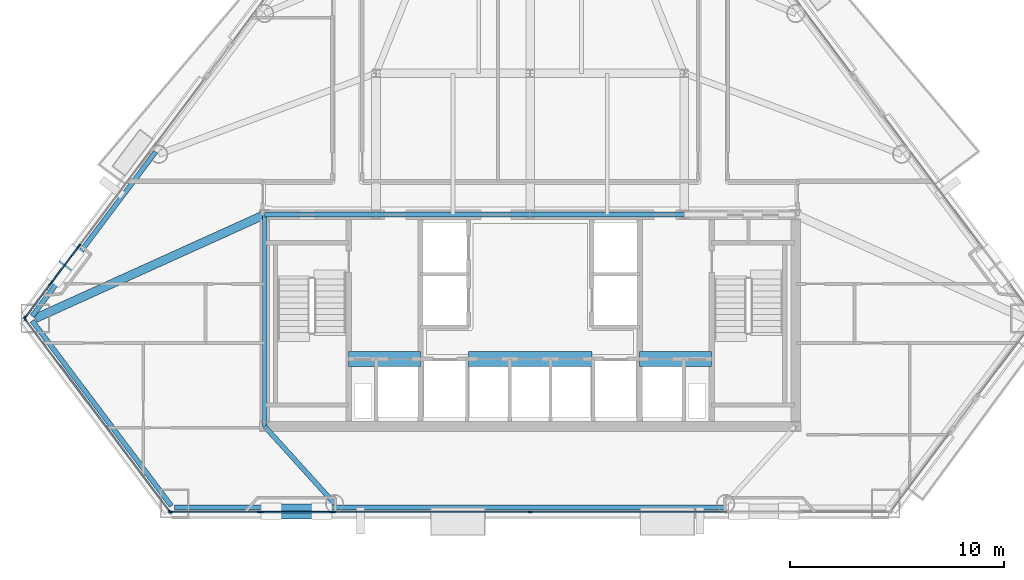
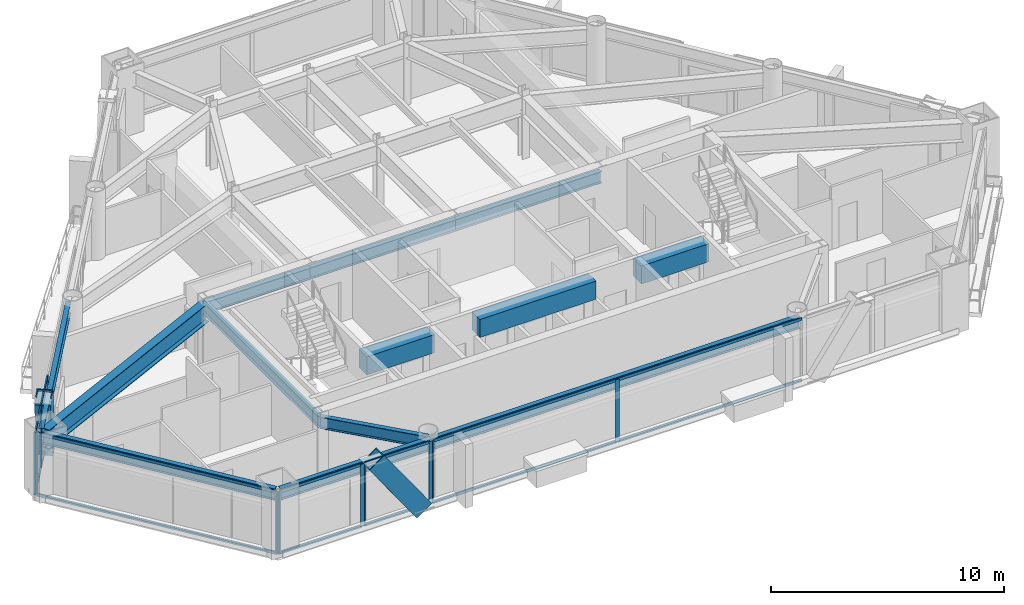
# One storey, part 2 of 10: 29 members, 13 beams, 7 elements without a shape of their own.
"""IFC4 building model written with IfcOpenShell, lengths in metres."""

from ifc_helpers import new_model, si_unit, direction, frame, origin, origin_2d, place, context, subcontext, project, spatial, rectangle, hollow_rectangle, i_section, extrude, material, layer, layer_set, material_profile, profile_set, type_object, element, aggregate, save


model = new_model("IFC4")

# Units and contexts
model_context = context("Model", 3, precision=1e-05, world=origin(), true_north=direction((0.0, 1.0)))
body_context = subcontext(model_context, "Body", "Model", "MODEL_VIEW")
ifc_project = project(units=[si_unit("LENGTHUNIT", "METRE"), si_unit("AREAUNIT", "SQUARE_METRE"), si_unit("VOLUMEUNIT", "CUBIC_METRE"), si_unit("PLANEANGLEUNIT", "RADIAN"), si_unit("MASSUNIT", "GRAM", prefix="KILO")], contexts=[model_context])

# Site, building, storey
site_placement = place(None, origin())
site = spatial("IfcSite", under=ifc_project, at=site_placement, CompositionType="ELEMENT")
building_placement = place(site_placement, origin())
building = spatial("IfcBuilding", under=site, at=building_placement, Name="Talgorran Terracotta Tower", CompositionType="ELEMENT")
storey_placement = place(building_placement, frame((0.0, 0.0, 86.39990234375)))
storey = spatial("IfcBuildingStorey", under=building, at=storey_placement, Name="L22", CompositionType="ELEMENT", Elevation=86.39990234375)

# Beams
ifc_material_1 = material(Name="Steel Grade 350 (350L0)", Category="steel")
ifc_material_profile_1 = material_profile(ifc_material_1, i_section(OverallWidth=0.39990234375, OverallDepth=1.0, WebThickness=0.01611328125, FlangeThickness=0.031005859375, at=origin_2d()), Name="1000WB296")
ifc_profile_set_1 = profile_set([ifc_material_profile_1], Name="Steel Grade 350 (350L0)")
beam_type_1 = type_object("IfcBeamType", Name="BM_1000WB296", PredefinedType="BEAM", material=ifc_profile_set_1)
beam_1_placement = place(storey_placement, frame((-12.39990234375, -4.199951171875, 2.780029296875), z_axis=(-0.911027575062, -0.412345434651, 0.0), x_axis=(0.412345434651, -0.911027575062, 0.0)))
element("IfcBeam", 1, at=beam_1_placement, inside=storey, type_object=beam_type_1, Name="L22 Floor Girder G17", PredefinedType="BEAM", context=body_context, shape_type="SweptSolid", body=[
    extrude(i_section(OverallWidth=0.39990234375, OverallDepth=1.0, WebThickness=0.01611328125, FlangeThickness=0.031005859375, at=origin_2d()), origin(), (0.0, 0.0, 1.0), 11.766357421875),
])
ifc_material_2 = material(Name="Concrete C65/80", Category="concrete")
ifc_material_profile_2 = material_profile(ifc_material_2, rectangle(XDim=0.699951171875, YDim=0.949951171875, at=origin_2d()), Name="RCCB700X950")
ifc_profile_set_2 = profile_set([ifc_material_profile_2], Name="Concrete C65/80")
beam_type_2 = type_object("IfcBeamType", Name="BM_CB_700X950", PredefinedType="LINTEL", material=ifc_profile_set_2)
beam_2_placement = place(storey_placement, frame((-8.47998046875, -10.949951171875, 2.80517578125), z_axis=(1.0, 0.0, 0.0), x_axis=(0.0, 1.0, 0.0)))
element("IfcBeam", 2, at=beam_2_placement, inside=storey, type_object=beam_type_2, Name="L22 Core Shear-Wall Coupling Beam CB1", PredefinedType="LINTEL", context=body_context, shape_type="SweptSolid", body=[
    extrude(rectangle(XDim=0.699951171875, YDim=0.949951171875, at=origin_2d()), origin(), (0.0, 0.0, 1.0), 3.35986328125),
])
beam_3_placement = place(storey_placement, frame((-2.8798828125, -10.949951171875, 2.80517578125), z_axis=(1.0, 0.0, 0.0), x_axis=(0.0, 1.0, 0.0)))
element("IfcBeam", 3, at=beam_3_placement, inside=storey, type_object=beam_type_2, Name="L22 Core Shear-Wall Coupling Beam CB2", PredefinedType="LINTEL", context=body_context, shape_type="SweptSolid", body=[
    extrude(rectangle(XDim=0.699951171875, YDim=0.949951171875, at=origin_2d()), origin(), (0.0, 0.0, 1.0), 5.759765625),
])
beam_4_placement = place(storey_placement, frame((5.1201171875, -10.949951171875, 2.80517578125), z_axis=(1.0, 0.0, 0.0), x_axis=(0.0, 1.0, 0.0)))
element("IfcBeam", 4, at=beam_4_placement, inside=storey, type_object=beam_type_2, Name="L22 Core Shear-Wall Coupling Beam CB3", PredefinedType="LINTEL", context=body_context, shape_type="SweptSolid", body=[
    extrude(rectangle(XDim=0.699951171875, YDim=0.949951171875, at=origin_2d()), origin(), (0.0, 0.0, 1.0), 3.35986328125),
])
ifc_material_3 = material(Name="Steel S355 (300PLUS)", Category="steel")
ifc_material_profile_3 = material_profile(ifc_material_3, i_section(OverallWidth=0.22900390625, OverallDepth=0.611572265625, WebThickness=0.011962890625, FlangeThickness=0.01953125, at=origin_2d()), Name="610UB125")
ifc_profile_set_3 = profile_set([ifc_material_profile_3], Name="Steel S355 (300PLUS)")
beam_type_3 = type_object("IfcBeamType", Name="BM_SP_610UB125", PredefinedType="SPANDREL", material=ifc_profile_set_3)
beam_5_placement = place(storey_placement, frame((-23.263427734375, -9.159912109375, 2.974365234375), z_axis=(0.601053302012, -0.799208938976, 0.0), x_axis=(0.799208938976, 0.601053302012, 0.0)))
element("IfcBeam", 5, at=beam_5_placement, inside=storey, type_object=beam_type_3, Name="L22 Perimeter Spandrel Beam MC1-MC2", PredefinedType="SPANDREL", context=body_context, shape_type="SweptSolid", body=[
    extrude(i_section(OverallWidth=0.22900390625, OverallDepth=0.611572265625, WebThickness=0.011962890625, FlangeThickness=0.01953125, at=origin_2d()), origin(), (0.0, 0.0, 1.0), 10.82373046875),
])
beam_6_placement = place(storey_placement, frame((-16.61376953125, -17.882080078125, 2.974365234375), z_axis=(1.0, 0.0, 0.0), x_axis=(0.0, 1.0, 0.0)))
element("IfcBeam", 6, at=beam_6_placement, inside=storey, type_object=beam_type_3, Name="L22 Perimeter Spandrel Beam MC2-FC1", PredefinedType="SPANDREL", context=body_context, shape_type="SweptSolid", body=[
    extrude(i_section(OverallWidth=0.22900390625, OverallDepth=0.611572265625, WebThickness=0.011962890625, FlangeThickness=0.01953125, at=origin_2d()), origin(), (0.0, 0.0, 1.0), 7.47607421875),
])
beam_7_placement = place(storey_placement, frame((-9.1376953125, -17.882080078125, 2.974365234375), z_axis=(1.0, 0.0, 0.0), x_axis=(0.0, 1.0, 0.0)))
element("IfcBeam", 7, at=beam_7_placement, inside=storey, type_object=beam_type_3, Name="L22 Perimeter Spandrel Beam FC1-FC2", PredefinedType="SPANDREL", context=body_context, shape_type="SweptSolid", body=[
    extrude(i_section(OverallWidth=0.22900390625, OverallDepth=0.611572265625, WebThickness=0.011962890625, FlangeThickness=0.01953125, at=origin_2d()), origin(), (0.0, 0.0, 1.0), 18.275390625),
])
beam_8_placement = place(storey_placement, frame((-17.494384765625, -1.272705078125, 2.974365234375), z_axis=(-0.601057621452, -0.799205690479, 0.0), x_axis=(0.799205690479, -0.601057621452, 0.0)))
element("IfcBeam", 8, at=beam_8_placement, inside=storey, type_object=beam_type_3, Name="L22 Perimeter Spandrel Beam FC6-MC1", PredefinedType="SPANDREL", context=body_context, shape_type="SweptSolid", body=[
    extrude(i_section(OverallWidth=0.22900390625, OverallDepth=0.611572265625, WebThickness=0.011962890625, FlangeThickness=0.01953125, at=origin_2d()), origin(), (0.0, 0.0, 1.0), 9.59814453125),
])
beam_9_placement = place(storey_placement, frame((-9.1376953125, -17.7021484375, 2.974365234375), z_axis=(-0.671276308116, 0.741207203259, 0.0), x_axis=(-0.741207203259, -0.671276308116, 0.0)))
element("IfcBeam", 9, at=beam_9_placement, inside=storey, type_object=beam_type_3, Name="L22 South-West Core Tie Beam", PredefinedType="SPANDREL", context=body_context, shape_type="SweptSolid", body=[
    extrude(i_section(OverallWidth=0.22900390625, OverallDepth=0.611572265625, WebThickness=0.011962890625, FlangeThickness=0.01953125, at=origin_2d()), origin(), (0.0, 0.0, 1.0), 4.859619140625),
])
beam_10_placement = place(storey_placement, frame((-12.39990234375, -14.10009765625, 2.974365234375), z_axis=(0.0, 1.0, 0.0), x_axis=(-1.0, 0.0, 0.0)))
element("IfcBeam", 10, at=beam_10_placement, inside=storey, type_object=beam_type_3, Name="L22 Core Frame Beam CFW", PredefinedType="SPANDREL", context=body_context, shape_type="SweptSolid", body=[
    extrude(i_section(OverallWidth=0.22900390625, OverallDepth=0.611572265625, WebThickness=0.011962890625, FlangeThickness=0.01953125, at=origin_2d()), origin(), (0.0, 0.0, 1.0), 9.900146484375),
])
beam_11_placement = place(storey_placement, frame((-12.39990234375, -4.199951171875, 2.974365234375), z_axis=(1.0, 0.0, 0.0), x_axis=(0.0, 1.0, 0.0)))
element("IfcBeam", 11, at=beam_11_placement, inside=storey, type_object=beam_type_3, Name="L22 Core Frame Beam CFN1", PredefinedType="SPANDREL", context=body_context, shape_type="SweptSolid", body=[
    extrude(i_section(OverallWidth=0.22900390625, OverallDepth=0.611572265625, WebThickness=0.011962890625, FlangeThickness=0.01953125, at=origin_2d()), origin(), (0.0, 0.0, 1.0), 5.199951171875),
])
for number, where, z_axis, x_axis, name in (
    (12, (-7.199951171875, -4.199951171875, 2.974365234375), (1.0, 0.0, 0.0), (0.0, 1.0, 0.0), "L22 Core Frame Beam CFN2"),
    (13, (0.0, -4.199951171875, 2.974365234375), (1.0, 0.0, 0.0), (0.0, 1.0, 0.0), "L22 Core Frame Beam CFN3"),
):
    element("IfcBeam", number, at=place(storey_placement, frame(where, z_axis=z_axis, x_axis=x_axis)), inside=storey, type_object=beam_type_3, Name=name, PredefinedType="SPANDREL", context=body_context, shape_type="SweptSolid", body=[
        extrude(i_section(OverallWidth=0.22900390625, OverallDepth=0.611572265625, WebThickness=0.011962890625, FlangeThickness=0.01953125, at=origin_2d()), origin(), (0.0, 0.0, 1.0), 7.199951171875),
    ])

# Members
ifc_material_profile_4 = material_profile(ifc_material_1, hollow_rectangle(XDim=0.699951171875, YDim=0.89990234375, WallThickness=0.050048828125, at=origin_2d()), Name="WBOX900X700X50")
ifc_profile_set_4 = profile_set([ifc_material_profile_4], Name="Steel Grade 350 (350L0)")
member_type_1 = type_object("IfcMemberType", Name="MB_MEGA_900", PredefinedType="BRACE", material=ifc_profile_set_4)
member_1_placement = place(storey_placement, frame((-9.740234375, -18.062255859375, -0.02490234375), z_axis=(-0.576753737228, 0.0, 0.816918066022), x_axis=(0.0, -1.0, 0.0)))
element("IfcMember", 14, at=member_1_placement, inside=storey, type_object=member_type_1, Name="L22 Exterior Face Mega-Brace MB-1 (SWF)", PredefinedType="BRACE", context=body_context, shape_type="SweptSolid", body=[
    extrude(hollow_rectangle(XDim=0.699951171875, YDim=0.89990234375, WallThickness=0.050048828125, at=origin_2d()), origin(), (0.0, 0.0, 1.0), 4.076416015625),
])
member_2_placement = place(storey_placement, frame((-21.40869140625, -6.177978515625, -0.02490234375), z_axis=(-0.177811978191, -0.236429002903, 0.955240402725), x_axis=(0.79920388083, -0.601060027674, 0.0)))
element("IfcMember", 15, at=member_2_placement, inside=storey, type_object=member_type_1, Name="L22 Exterior Face Mega-Brace MB-1 (NWL)", PredefinedType="BRACE", context=body_context, shape_type="SweptSolid", body=[
    extrude(hollow_rectangle(XDim=0.699951171875, YDim=0.89990234375, WallThickness=0.050048828125, at=origin_2d()), origin(), (0.0, 0.0, 1.0), 3.486083984375),
])

# Curtain wall, members
ifc_material_4 = material(Name="Unitised Low-E Double Glazing", Category="glass")
ifc_layer = layer(ifc_material_4, 0.199951171875, Name="CW_SYS2_RES_LOW")
ifc_layer_set = layer_set([ifc_layer], Name="Unitised Low-E Double Glazing")
curtain_wall_type = type_object("IfcCurtainWallType", Name="CW_SYS2_RES_LOW", PredefinedType="NOTDEFINED", material=ifc_layer_set)
curtain_wall_1_placement = place(storey_placement, origin())
curtain_wall_1 = element("IfcCurtainWall", 16, at=curtain_wall_1_placement, inside=storey, type_object=curtain_wall_type, Name="CW-L22-F0", PredefinedType="NOTDEFINED")
ifc_material_5 = material(Name="Architectural Aluminium 6063-T6", Category="aluminium")
ifc_material_profile_5 = material_profile(ifc_material_5, rectangle(XDim=0.06494140625, YDim=0.18505859375, at=origin_2d()), Name="CWM65X185")
ifc_profile_set_5 = profile_set([ifc_material_profile_5], Name="Architectural Aluminium 6063-T6")
member_type_2 = type_object("IfcMemberType", Name="MUL_65X185", PredefinedType="MULLION", material=ifc_profile_set_5)
member_3_placement = place(storey_placement, frame((-23.6005859375, -9.07763671875, 0.0), z_axis=(0.0, 0.0, 1.0), x_axis=(0.799209855428, 0.601052083423, 0.0)))
member_3 = element("IfcMember", 17, at=member_3_placement, type_object=member_type_2, Name="CW-L22-0 mullion 1", PredefinedType="MULLION", context=body_context, shape_type="SweptSolid", body=[
    extrude(rectangle(XDim=0.06494140625, YDim=0.18505859375, at=origin_2d()), origin(), (0.0, 0.0, 1.0), 3.280029296875),
])
member_4_placement = place(storey_placement, frame((-16.8330078125, -18.076171875, 0.0), z_axis=(0.0, 0.0, 1.0), x_axis=(0.799209855428, 0.601052083423, 0.0)))
member_4 = element("IfcMember", 18, at=member_4_placement, type_object=member_type_2, Name="CW-L22-0 mullion 2", PredefinedType="MULLION", context=body_context, shape_type="SweptSolid", body=[
    extrude(rectangle(XDim=0.06494140625, YDim=0.18505859375, at=origin_2d()), origin(), (0.0, 0.0, 1.0), 3.280029296875),
])

curtain_wall_2_placement = place(storey_placement, origin())
curtain_wall_2 = element("IfcCurtainWall", 19, at=curtain_wall_2_placement, inside=storey, type_object=curtain_wall_type, Name="CW-L22-F1", PredefinedType="NOTDEFINED")
member_5_placement = place(storey_placement, frame((-16.781005859375, -18.102294921875, 0.0), z_axis=(0.0, 0.0, 1.0), x_axis=(0.0, 1.0, 0.0)))
member_5 = element("IfcMember", 20, at=member_5_placement, type_object=member_type_2, Name="CW-L22-1 mullion 1", PredefinedType="MULLION", context=body_context, shape_type="SweptSolid", body=[
    extrude(rectangle(XDim=0.06494140625, YDim=0.18505859375, at=origin_2d()), origin(), (0.0, 0.0, 1.0), 3.280029296875),
])
member_6_placement = place(storey_placement, frame((-12.646484375, -18.102294921875, 0.0), z_axis=(0.0, 0.0, 1.0), x_axis=(0.0, 1.0, 0.0)))
member_6 = element("IfcMember", 21, at=member_6_placement, type_object=member_type_2, Name="CW-L22-1 mullion 2", PredefinedType="MULLION", context=body_context, shape_type="SweptSolid", body=[
    extrude(rectangle(XDim=0.06494140625, YDim=0.18505859375, at=origin_2d()), origin(), (0.0, 0.0, 1.0), 3.280029296875),
])

curtain_wall_3_placement = place(storey_placement, origin())
curtain_wall_3 = element("IfcCurtainWall", 22, at=curtain_wall_3_placement, inside=storey, type_object=curtain_wall_type, Name="CW-L22-F1B", PredefinedType="NOTDEFINED")
member_7_placement = place(storey_placement, frame((-12.5712890625, -18.102294921875, 0.0), z_axis=(0.0, 0.0, 1.0), x_axis=(0.0, 1.0, 0.0)))
member_7 = element("IfcMember", 23, at=member_7_placement, type_object=member_type_2, Name="CW-L22-1B mullion 1", PredefinedType="MULLION", context=body_context, shape_type="SweptSolid", body=[
    extrude(rectangle(XDim=0.06494140625, YDim=0.18505859375, at=origin_2d()), origin(), (0.0, 0.0, 1.0), 3.280029296875),
])
member_8_placement = place(storey_placement, frame((-9.260009765625, -18.102294921875, 0.0), z_axis=(0.0, 0.0, 1.0), x_axis=(0.0, 1.0, 0.0)))
member_8 = element("IfcMember", 24, at=member_8_placement, type_object=member_type_2, Name="CW-L22-1B mullion 2", PredefinedType="MULLION", context=body_context, shape_type="SweptSolid", body=[
    extrude(rectangle(XDim=0.06494140625, YDim=0.18505859375, at=origin_2d()), origin(), (0.0, 0.0, 1.0), 3.280029296875),
])

curtain_wall_4_placement = place(storey_placement, origin())
curtain_wall_4 = element("IfcCurtainWall", 25, at=curtain_wall_4_placement, inside=storey, type_object=curtain_wall_type, Name="CW-L22-F1C", PredefinedType="NOTDEFINED")
member_9_placement = place(storey_placement, frame((-9.18505859375, -18.102294921875, 0.0), z_axis=(0.0, 0.0, 1.0), x_axis=(0.0, 1.0, 0.0)))
member_9 = element("IfcMember", 26, at=member_9_placement, type_object=member_type_2, Name="CW-L22-1C mullion 1", PredefinedType="MULLION", context=body_context, shape_type="SweptSolid", body=[
    extrude(rectangle(XDim=0.06494140625, YDim=0.18505859375, at=origin_2d()), origin(), (0.0, 0.0, 1.0), 3.280029296875),
])
member_10_placement = place(storey_placement, frame((0.0, -18.102294921875, 0.0), z_axis=(0.0, 0.0, 1.0), x_axis=(0.0, 1.0, 0.0)))
member_10 = element("IfcMember", 27, at=member_10_placement, type_object=member_type_2, Name="CW-L22-1C mullion 2", PredefinedType="MULLION", context=body_context, shape_type="SweptSolid", body=[
    extrude(rectangle(XDim=0.06494140625, YDim=0.18505859375, at=origin_2d()), origin(), (0.0, 0.0, 1.0), 3.280029296875),
])

# Curtain wall, member
curtain_wall_5_placement = place(storey_placement, origin())
curtain_wall_5 = element("IfcCurtainWall", 28, at=curtain_wall_5_placement, inside=storey, type_object=curtain_wall_type, Name="CW-L22-F61", PredefinedType="NOTDEFINED")
member_11_placement = place(storey_placement, frame((-21.069580078125, -5.660400390625, 0.0), z_axis=(0.0, 0.0, 1.0), x_axis=(0.799212779935, -0.60104819473, 0.0)))
member_11 = element("IfcMember", 29, at=member_11_placement, type_object=member_type_2, Name="CW-L22-61 mullion 2", PredefinedType="MULLION", context=body_context, shape_type="SweptSolid", body=[
    extrude(rectangle(XDim=0.06494140625, YDim=0.18505859375, at=origin_2d()), origin(), (0.0, 0.0, 1.0), 3.280029296875),
])
aggregate(curtain_wall_5, [member_11])

# Curtain wall, members
curtain_wall_6_placement = place(storey_placement, origin())
curtain_wall_6 = element("IfcCurtainWall", 30, at=curtain_wall_6_placement, inside=storey, type_object=curtain_wall_type, Name="CW-L22-F61B", PredefinedType="NOTDEFINED")
member_12_placement = place(storey_placement, frame((-21.11474609375, -5.720458984375, 0.0), z_axis=(0.0, 0.0, 1.0), x_axis=(0.799207064318, -0.601055794702, 0.0)))
member_12 = element("IfcMember", 31, at=member_12_placement, type_object=member_type_2, Name="CW-L22-61B mullion 1", PredefinedType="MULLION", context=body_context, shape_type="SweptSolid", body=[
    extrude(rectangle(XDim=0.06494140625, YDim=0.18505859375, at=origin_2d()), origin(), (0.0, 0.0, 1.0), 3.280029296875),
])
member_13_placement = place(storey_placement, frame((-22.38671875, -7.41162109375, 0.0), z_axis=(0.0, 0.0, 1.0), x_axis=(0.799207064318, -0.601055794702, 0.0)))
member_13 = element("IfcMember", 32, at=member_13_placement, type_object=member_type_2, Name="CW-L22-61B mullion 2", PredefinedType="MULLION", context=body_context, shape_type="SweptSolid", body=[
    extrude(rectangle(XDim=0.06494140625, YDim=0.18505859375, at=origin_2d()), origin(), (0.0, 0.0, 1.0), 3.280029296875),
])

curtain_wall_7_placement = place(storey_placement, origin())
curtain_wall_7 = element("IfcCurtainWall", 33, at=curtain_wall_7_placement, inside=storey, type_object=curtain_wall_type, Name="CW-L22-F61C", PredefinedType="NOTDEFINED")
member_14_placement = place(storey_placement, frame((-22.431640625, -7.4716796875, 0.0), z_axis=(0.0, 0.0, 1.0), x_axis=(0.799213351959, -0.60104743411, 0.0)))
member_14 = element("IfcMember", 34, at=member_14_placement, type_object=member_type_2, Name="CW-L22-61C mullion 1", PredefinedType="MULLION", context=body_context, shape_type="SweptSolid", body=[
    extrude(rectangle(XDim=0.06494140625, YDim=0.18505859375, at=origin_2d()), origin(), (0.0, 0.0, 1.0), 3.280029296875),
])
member_15_placement = place(storey_placement, frame((-23.576416015625, -8.99365234375, 0.0), z_axis=(0.0, 0.0, 1.0), x_axis=(0.799213351959, -0.60104743411, 0.0)))
member_15 = element("IfcMember", 35, at=member_15_placement, type_object=member_type_2, Name="CW-L22-61C mullion 2", PredefinedType="MULLION", context=body_context, shape_type="SweptSolid", body=[
    extrude(rectangle(XDim=0.06494140625, YDim=0.18505859375, at=origin_2d()), origin(), (0.0, 0.0, 1.0), 3.280029296875),
])

# Member
ifc_material_profile_6 = material_profile(ifc_material_5, rectangle(XDim=0.06494140625, YDim=0.14990234375, at=origin_2d()), Name="CWT65X150")
ifc_profile_set_6 = profile_set([ifc_material_profile_6], Name="Architectural Aluminium 6063-T6")
member_type_3 = type_object("IfcMemberType", Name="TRN_65X150", PredefinedType="USERDEFINED", material=ifc_profile_set_6)
member_16_placement = place(storey_placement, frame((-23.580810546875, -9.103759765625, 0.03271484375), z_axis=(0.601049831562, -0.799211548953, 0.0), x_axis=(0.799211548953, 0.601049831562, 0.0)))
member_16 = element("IfcMember", 36, at=member_16_placement, type_object=member_type_3, Name="CW-L22-0 transom 1.1", ObjectType="TRANSOM", PredefinedType="USERDEFINED", context=body_context, shape_type="SweptSolid", body=[
    extrude(rectangle(XDim=0.06494140625, YDim=0.14990234375, at=origin_2d()), origin(), (0.0, 0.0, 1.0), 11.194091796875),
])

member_17_placement = place(storey_placement, frame((-23.580810546875, -9.103759765625, 3.24755859375), z_axis=(0.601049831562, -0.799211548953, 0.0), x_axis=(0.799211548953, 0.601049831562, 0.0)))
member_17 = element("IfcMember", 37, at=member_17_placement, type_object=member_type_3, Name="CW-L22-0 transom 1.2", ObjectType="TRANSOM", PredefinedType="USERDEFINED", context=body_context, shape_type="SweptSolid", body=[
    extrude(rectangle(XDim=0.06494140625, YDim=0.14990234375, at=origin_2d()), origin(), (0.0, 0.0, 1.0), 11.194091796875),
])

aggregate(curtain_wall_1, [member_3, member_4, member_16, member_17])

member_18_placement = place(storey_placement, frame((-16.74853515625, -18.102294921875, 0.03271484375), z_axis=(1.0, 0.0, 0.0), x_axis=(0.0, 1.0, 0.0)))
member_18 = element("IfcMember", 38, at=member_18_placement, type_object=member_type_3, Name="CW-L22-1 transom 1.1", ObjectType="TRANSOM", PredefinedType="USERDEFINED", context=body_context, shape_type="SweptSolid", body=[
    extrude(rectangle(XDim=0.06494140625, YDim=0.14990234375, at=origin_2d()), origin(), (0.0, 0.0, 1.0), 4.069580078125),
])

member_19_placement = place(storey_placement, frame((-16.74853515625, -18.102294921875, 3.24755859375), z_axis=(1.0, 0.0, 0.0), x_axis=(0.0, 1.0, 0.0)))
member_19 = element("IfcMember", 39, at=member_19_placement, type_object=member_type_3, Name="CW-L22-1 transom 1.2", ObjectType="TRANSOM", PredefinedType="USERDEFINED", context=body_context, shape_type="SweptSolid", body=[
    extrude(rectangle(XDim=0.06494140625, YDim=0.14990234375, at=origin_2d()), origin(), (0.0, 0.0, 1.0), 4.069580078125),
])

aggregate(curtain_wall_2, [member_5, member_6, member_18, member_19])

member_20_placement = place(storey_placement, frame((-12.538818359375, -18.102294921875, 0.03271484375), z_axis=(1.0, 0.0, 0.0), x_axis=(0.0, 1.0, 0.0)))
member_20 = element("IfcMember", 40, at=member_20_placement, type_object=member_type_3, Name="CW-L22-1B transom 1.1", ObjectType="TRANSOM", PredefinedType="USERDEFINED", context=body_context, shape_type="SweptSolid", body=[
    extrude(rectangle(XDim=0.06494140625, YDim=0.14990234375, at=origin_2d()), origin(), (0.0, 0.0, 1.0), 3.246337890625),
])

member_21_placement = place(storey_placement, frame((-12.538818359375, -18.102294921875, 3.24755859375), z_axis=(1.0, 0.0, 0.0), x_axis=(0.0, 1.0, 0.0)))
member_21 = element("IfcMember", 41, at=member_21_placement, type_object=member_type_3, Name="CW-L22-1B transom 1.2", ObjectType="TRANSOM", PredefinedType="USERDEFINED", context=body_context, shape_type="SweptSolid", body=[
    extrude(rectangle(XDim=0.06494140625, YDim=0.14990234375, at=origin_2d()), origin(), (0.0, 0.0, 1.0), 3.246337890625),
])

aggregate(curtain_wall_3, [member_7, member_8, member_20, member_21])

member_22_placement = place(storey_placement, frame((-9.152587890625, -18.102294921875, 0.03271484375), z_axis=(1.0, 0.0, 0.0), x_axis=(0.0, 1.0, 0.0)))
member_22 = element("IfcMember", 42, at=member_22_placement, type_object=member_type_3, Name="CW-L22-1C transom 1.1", ObjectType="TRANSOM", PredefinedType="USERDEFINED", context=body_context, shape_type="SweptSolid", body=[
    extrude(rectangle(XDim=0.06494140625, YDim=0.14990234375, at=origin_2d()), origin(), (0.0, 0.0, 1.0), 9.1201171875),
])

member_23_placement = place(storey_placement, frame((-9.152587890625, -18.102294921875, 3.24755859375), z_axis=(1.0, 0.0, 0.0), x_axis=(0.0, 1.0, 0.0)))
member_23 = element("IfcMember", 43, at=member_23_placement, type_object=member_type_3, Name="CW-L22-1C transom 1.2", ObjectType="TRANSOM", PredefinedType="USERDEFINED", context=body_context, shape_type="SweptSolid", body=[
    extrude(rectangle(XDim=0.06494140625, YDim=0.14990234375, at=origin_2d()), origin(), (0.0, 0.0, 1.0), 9.1201171875),
])

member_24_placement = place(storey_placement, frame((0.032470703125, -18.102294921875, 0.03271484375), z_axis=(1.0, 0.0, 0.0), x_axis=(0.0, 1.0, 0.0)))
member_24 = element("IfcMember", 44, at=member_24_placement, type_object=member_type_3, Name="CW-L22-1C transom 2.1", ObjectType="TRANSOM", PredefinedType="USERDEFINED", context=body_context, shape_type="SweptSolid", body=[
    extrude(rectangle(XDim=0.06494140625, YDim=0.14990234375, at=origin_2d()), origin(), (0.0, 0.0, 1.0), 9.1201171875),
])

member_25_placement = place(storey_placement, frame((0.032470703125, -18.102294921875, 3.24755859375), z_axis=(1.0, 0.0, 0.0), x_axis=(0.0, 1.0, 0.0)))
member_25 = element("IfcMember", 45, at=member_25_placement, type_object=member_type_3, Name="CW-L22-1C transom 2.2", ObjectType="TRANSOM", PredefinedType="USERDEFINED", context=body_context, shape_type="SweptSolid", body=[
    extrude(rectangle(XDim=0.06494140625, YDim=0.14990234375, at=origin_2d()), origin(), (0.0, 0.0, 1.0), 9.1201171875),
])

aggregate(curtain_wall_4, [member_9, member_10, member_22, member_23, member_24, member_25])

member_26_placement = place(storey_placement, frame((-21.13427734375, -5.746337890625, 0.03271484375), z_axis=(-0.601046854566, -0.799213787804, 0.0), x_axis=(0.799213787804, -0.601046854566, 0.0)))
member_26 = element("IfcMember", 46, at=member_26_placement, type_object=member_type_3, Name="CW-L22-61B transom 1.1", ObjectType="TRANSOM", PredefinedType="USERDEFINED", context=body_context, shape_type="SweptSolid", body=[
    extrude(rectangle(XDim=0.06494140625, YDim=0.14990234375, at=origin_2d()), origin(), (0.0, 0.0, 1.0), 2.05126953125),
])

member_27_placement = place(storey_placement, frame((-21.13427734375, -5.746337890625, 3.24755859375), z_axis=(-0.601046854566, -0.799213787804, 0.0), x_axis=(0.799213787804, -0.601046854566, 0.0)))
member_27 = element("IfcMember", 47, at=member_27_placement, type_object=member_type_3, Name="CW-L22-61B transom 1.2", ObjectType="TRANSOM", PredefinedType="USERDEFINED", context=body_context, shape_type="SweptSolid", body=[
    extrude(rectangle(XDim=0.06494140625, YDim=0.14990234375, at=origin_2d()), origin(), (0.0, 0.0, 1.0), 2.05126953125),
])

aggregate(curtain_wall_6, [member_12, member_13, member_26, member_27])

member_28_placement = place(storey_placement, frame((-22.451171875, -7.49755859375, 0.03271484375), z_axis=(-0.601061182686, -0.799203012174, 0.0), x_axis=(0.799203012174, -0.601061182686, 0.0)))
member_28 = element("IfcMember", 48, at=member_28_placement, type_object=member_type_3, Name="CW-L22-61C transom 1.1", ObjectType="TRANSOM", PredefinedType="USERDEFINED", context=body_context, shape_type="SweptSolid", body=[
    extrude(rectangle(XDim=0.06494140625, YDim=0.14990234375, at=origin_2d()), origin(), (0.0, 0.0, 1.0), 1.839599609375),
])

member_29_placement = place(storey_placement, frame((-22.451171875, -7.49755859375, 3.24755859375), z_axis=(-0.601061182686, -0.799203012174, 0.0), x_axis=(0.799203012174, -0.601061182686, 0.0)))
member_29 = element("IfcMember", 49, at=member_29_placement, type_object=member_type_3, Name="CW-L22-61C transom 1.2", ObjectType="TRANSOM", PredefinedType="USERDEFINED", context=body_context, shape_type="SweptSolid", body=[
    extrude(rectangle(XDim=0.06494140625, YDim=0.14990234375, at=origin_2d()), origin(), (0.0, 0.0, 1.0), 1.839599609375),
])

aggregate(curtain_wall_7, [member_14, member_15, member_28, member_29])

save(model, "model.ifc")
